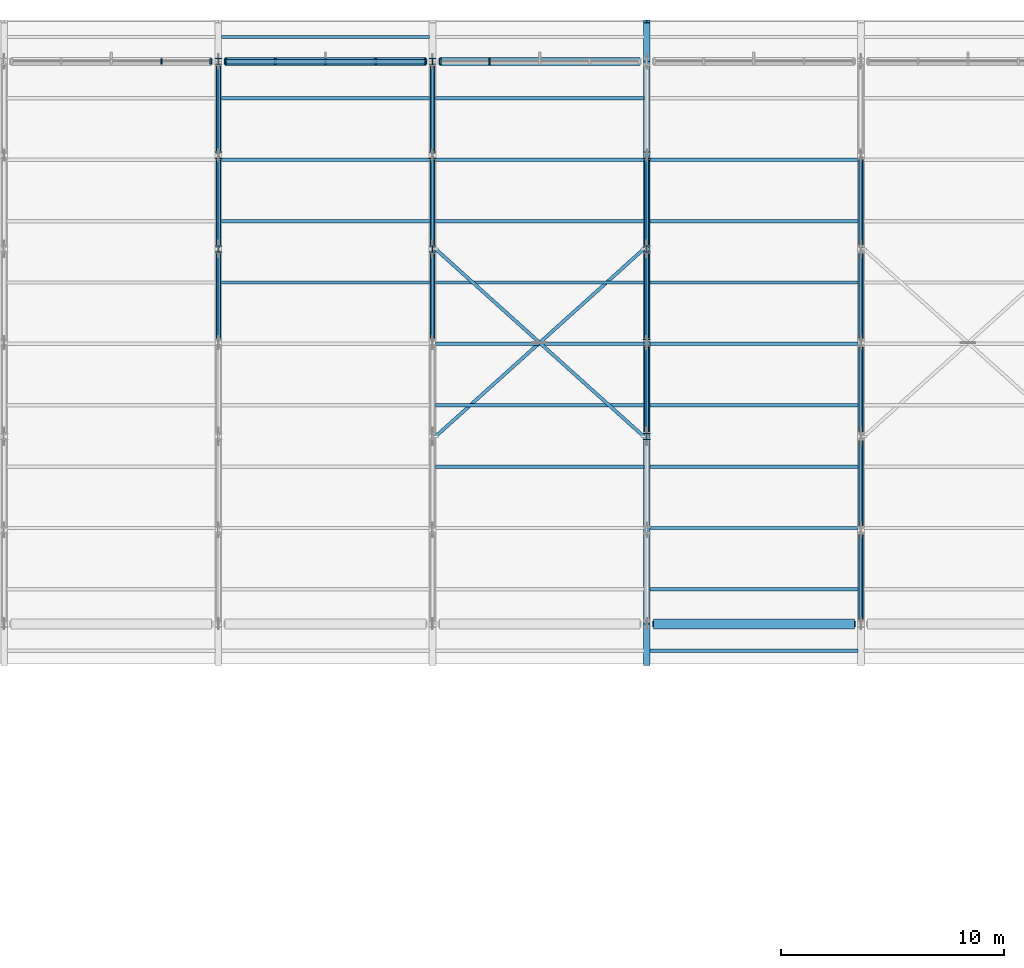
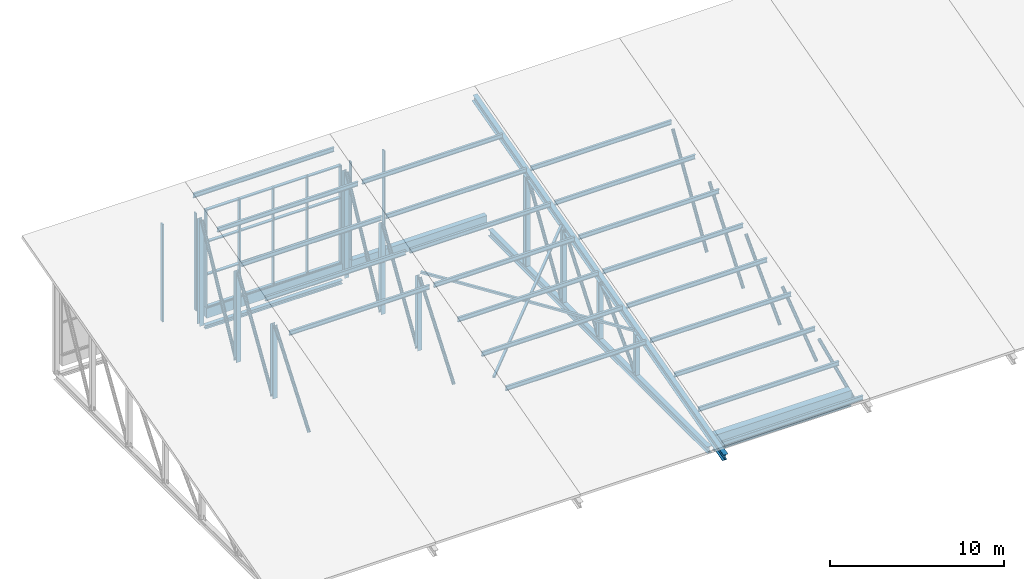
# One storey, part 5 of 37: 63 members, 5 beams, 3 elements without a shape of their own.
"""IFC4 building model written with IfcOpenShell, lengths in metres."""

from ifc_helpers import new_model, si_unit, direction, frame, origin, origin_2d, place, context, subcontext, project, spatial, rectangle, hollow_rectangle, hollow_circle, i_section, extrude, material, material_profile, profile_set, type_object, element, aggregate, save


model = new_model("IFC4")

# Units and contexts
model_context = context("Model", 3, precision=1e-05, world=origin(), true_north=direction((0.0, 1.0)))
body_context = subcontext(model_context, "Body", "Model", "MODEL_VIEW")
ifc_project = project(units=[si_unit("LENGTHUNIT", "METRE"), si_unit("AREAUNIT", "SQUARE_METRE"), si_unit("VOLUMEUNIT", "CUBIC_METRE"), si_unit("PLANEANGLEUNIT", "RADIAN"), si_unit("MASSUNIT", "GRAM", prefix="KILO")], contexts=[model_context])

# Site, building, storey
site_placement = place(None, origin())
site = spatial("IfcSite", under=ifc_project, at=site_placement, CompositionType="ELEMENT")
building_placement = place(site_placement, origin())
building = spatial("IfcBuilding", under=site, at=building_placement, Name="Shalvenor Court Art Gallery", CompositionType="ELEMENT")
storey_placement = place(building_placement, frame((0.0, 0.0, 22.199951171875)))
storey = spatial("IfcBuildingStorey", under=building, at=storey_placement, Name="L04", CompositionType="ELEMENT", Elevation=22.199951171875)

# Beam
ifc_material_1 = material(Name="Concrete C40/50", Category="concrete")
ifc_material_profile_1 = material_profile(ifc_material_1, rectangle(XDim=0.449951171875, YDim=0.75, at=origin_2d()), Name="RC 450x750")
ifc_profile_set_1 = profile_set([ifc_material_profile_1], Name="Concrete C40/50")
beam_type_1 = type_object("IfcBeamType", Name="B-04", PredefinedType="BEAM", material=ifc_profile_set_1)
beam_1_placement = place(storey_placement, frame((86.699951171875, 97.199951171875, -0.675048828125), z_axis=(1.0, 0.0, 0.0), x_axis=(0.0, 1.0, 0.0)))
element("IfcBeam", 1, at=beam_1_placement, inside=storey, type_object=beam_type_1, Name="L04 Girder BM-L04-B-04-1240", PredefinedType="BEAM", context=body_context, shape_type="SweptSolid", body=[
    extrude(rectangle(XDim=0.449951171875, YDim=0.75, at=origin_2d()), origin(), (0.0, 0.0, 1.0), 9.0),
])

# Curtain wall, members
ifc_material_2 = material(Name="Anodised aluminium and low-iron glass curtain wall", Category="aluminium")
curtain_wall_type = type_object("IfcCurtainWallType", Name="CW-NL-V2", PredefinedType="USERDEFINED", material=ifc_material_2)
curtain_wall_1_placement = place(storey_placement, origin())
curtain_wall_1 = element("IfcCurtainWall", 2, at=curtain_wall_1_placement, inside=storey, type_object=curtain_wall_type, Name="L04 V2 North Light Clerestory 1", ObjectType="CURTAIN WALL", PredefinedType="USERDEFINED")
ifc_material_3 = material(Name="Dark anodised bronze aluminium mullion", Category="aluminium")
ifc_material_profile_2 = material_profile(ifc_material_3, rectangle(XDim=0.080078125, YDim=0.239990234375, at=origin_2d()), Name="CWM-05")
ifc_profile_set_2 = profile_set([ifc_material_profile_2], Name="Dark anodised bronze aluminium mullion")
member_type_1 = type_object("IfcMemberType", Name="CWM-05", PredefinedType="MULLION", material=ifc_profile_set_2)
member_1_placement = place(storey_placement, frame((64.64990234375, 122.39990234375, 0.0), z_axis=(0.0, 0.0, 1.0), x_axis=(1.0, 0.0, 0.0)))
member_1 = element("IfcMember", 3, at=member_1_placement, type_object=member_type_1, Name="CW-NL-V2 mullion 4", PredefinedType="MULLION", context=body_context, shape_type="SweptSolid", body=[
    extrude(rectangle(XDim=0.080078125, YDim=0.239990234375, at=origin_2d()), origin(), (0.0, 0.0, 1.0), 6.85009765625),
])
member_2_placement = place(storey_placement, frame((66.860107421875, 122.39990234375, 0.0), z_axis=(0.0, 0.0, 1.0), x_axis=(1.0, 0.0, 0.0)))
member_2 = element("IfcMember", 4, at=member_2_placement, type_object=member_type_1, Name="CW-NL-V2 mullion 5", PredefinedType="MULLION", context=body_context, shape_type="SweptSolid", body=[
    extrude(rectangle(XDim=0.080078125, YDim=0.239990234375, at=origin_2d()), origin(), (0.0, 0.0, 1.0), 6.85009765625),
])
aggregate(curtain_wall_1, [member_1, member_2])

curtain_wall_2_placement = place(storey_placement, origin())
curtain_wall_2 = element("IfcCurtainWall", 5, at=curtain_wall_2_placement, inside=storey, type_object=curtain_wall_type, Name="L04 V2 North Light Clerestory 2", ObjectType="CURTAIN WALL", PredefinedType="USERDEFINED")
member_3_placement = place(storey_placement, frame((67.5400390625, 122.39990234375, 0.0), z_axis=(0.0, 0.0, 1.0), x_axis=(1.0, 0.0, 0.0)))
member_3 = element("IfcMember", 6, at=member_3_placement, type_object=member_type_1, Name="CW-NL-V2 mullion 1", PredefinedType="MULLION", context=body_context, shape_type="SweptSolid", body=[
    extrude(rectangle(XDim=0.080078125, YDim=0.239990234375, at=origin_2d()), origin(), (0.0, 0.0, 1.0), 6.85009765625),
])
member_4_placement = place(storey_placement, frame((69.75, 122.39990234375, 0.0), z_axis=(0.0, 0.0, 1.0), x_axis=(1.0, 0.0, 0.0)))
member_4 = element("IfcMember", 7, at=member_4_placement, type_object=member_type_1, Name="CW-NL-V2 mullion 2", PredefinedType="MULLION", context=body_context, shape_type="SweptSolid", body=[
    extrude(rectangle(XDim=0.080078125, YDim=0.239990234375, at=origin_2d()), origin(), (0.0, 0.0, 1.0), 6.85009765625),
])
member_5_placement = place(storey_placement, frame((72.0, 122.39990234375, 0.0), z_axis=(0.0, 0.0, 1.0), x_axis=(1.0, 0.0, 0.0)))
member_5 = element("IfcMember", 8, at=member_5_placement, type_object=member_type_1, Name="CW-NL-V2 mullion 3", PredefinedType="MULLION", context=body_context, shape_type="SweptSolid", body=[
    extrude(rectangle(XDim=0.080078125, YDim=0.239990234375, at=origin_2d()), origin(), (0.0, 0.0, 1.0), 6.85009765625),
])
member_6_placement = place(storey_placement, frame((74.25, 122.39990234375, 0.0), z_axis=(0.0, 0.0, 1.0), x_axis=(1.0, 0.0, 0.0)))
member_6 = element("IfcMember", 9, at=member_6_placement, type_object=member_type_1, Name="CW-NL-V2 mullion 4", PredefinedType="MULLION", context=body_context, shape_type="SweptSolid", body=[
    extrude(rectangle(XDim=0.080078125, YDim=0.239990234375, at=origin_2d()), origin(), (0.0, 0.0, 1.0), 6.85009765625),
])
member_7_placement = place(storey_placement, frame((76.4599609375, 122.39990234375, 0.0), z_axis=(0.0, 0.0, 1.0), x_axis=(1.0, 0.0, 0.0)))
member_7 = element("IfcMember", 10, at=member_7_placement, type_object=member_type_1, Name="CW-NL-V2 mullion 5", PredefinedType="MULLION", context=body_context, shape_type="SweptSolid", body=[
    extrude(rectangle(XDim=0.080078125, YDim=0.239990234375, at=origin_2d()), origin(), (0.0, 0.0, 1.0), 6.85009765625),
])

curtain_wall_3_placement = place(storey_placement, origin())
curtain_wall_3 = element("IfcCurtainWall", 11, at=curtain_wall_3_placement, inside=storey, type_object=curtain_wall_type, Name="L04 V2 North Light Clerestory 3", ObjectType="CURTAIN WALL", PredefinedType="USERDEFINED")
member_8_placement = place(storey_placement, frame((77.139892578125, 122.39990234375, 0.0), z_axis=(0.0, 0.0, 1.0), x_axis=(1.0, 0.0, 0.0)))
member_8 = element("IfcMember", 12, at=member_8_placement, type_object=member_type_1, Name="CW-NL-V2 mullion 1", PredefinedType="MULLION", context=body_context, shape_type="SweptSolid", body=[
    extrude(rectangle(XDim=0.080078125, YDim=0.239990234375, at=origin_2d()), origin(), (0.0, 0.0, 1.0), 6.85009765625),
])
member_9_placement = place(storey_placement, frame((79.35009765625, 122.39990234375, 0.0), z_axis=(0.0, 0.0, 1.0), x_axis=(1.0, 0.0, 0.0)))
member_9 = element("IfcMember", 13, at=member_9_placement, type_object=member_type_1, Name="CW-NL-V2 mullion 2", PredefinedType="MULLION", context=body_context, shape_type="SweptSolid", body=[
    extrude(rectangle(XDim=0.080078125, YDim=0.239990234375, at=origin_2d()), origin(), (0.0, 0.0, 1.0), 6.85009765625),
])
aggregate(curtain_wall_3, [member_8, member_9])

# Member
ifc_material_4 = material(Name="Dark anodised bronze aluminium transom", Category="aluminium")
ifc_material_profile_3 = material_profile(ifc_material_4, rectangle(XDim=0.2099609375, YDim=0.074951171875, at=origin_2d()), Name="CWT-05")
ifc_profile_set_3 = profile_set([ifc_material_profile_3], Name="Dark anodised bronze aluminium transom")
member_type_2 = type_object("IfcMemberType", Name="CWT-05", PredefinedType="USERDEFINED", material=ifc_profile_set_3)
member_10_placement = place(storey_placement, frame((67.5400390625, 122.39990234375, 0.03759765625), z_axis=(1.0, 0.0, 0.0), x_axis=(0.0, 1.0, 0.0)))
member_10 = element("IfcMember", 14, at=member_10_placement, type_object=member_type_2, Name="CW-NL-V2 transom 1", ObjectType="TRANSOM", PredefinedType="USERDEFINED", context=body_context, shape_type="SweptSolid", body=[
    extrude(rectangle(XDim=0.2099609375, YDim=0.074951171875, at=origin_2d()), origin(), (0.0, 0.0, 1.0), 8.919921875),
])

member_11_placement = place(storey_placement, frame((67.5400390625, 122.39990234375, 2.283447265625), z_axis=(1.0, 0.0, 0.0), x_axis=(0.0, 1.0, 0.0)))
member_11 = element("IfcMember", 15, at=member_11_placement, type_object=member_type_2, Name="CW-NL-V2 transom 2", ObjectType="TRANSOM", PredefinedType="USERDEFINED", context=body_context, shape_type="SweptSolid", body=[
    extrude(rectangle(XDim=0.2099609375, YDim=0.074951171875, at=origin_2d()), origin(), (0.0, 0.0, 1.0), 8.919921875),
])

member_12_placement = place(storey_placement, frame((67.5400390625, 122.39990234375, 4.566650390625), z_axis=(1.0, 0.0, 0.0), x_axis=(0.0, 1.0, 0.0)))
member_12 = element("IfcMember", 16, at=member_12_placement, type_object=member_type_2, Name="CW-NL-V2 transom 3", ObjectType="TRANSOM", PredefinedType="USERDEFINED", context=body_context, shape_type="SweptSolid", body=[
    extrude(rectangle(XDim=0.2099609375, YDim=0.074951171875, at=origin_2d()), origin(), (0.0, 0.0, 1.0), 8.919921875),
])

member_13_placement = place(storey_placement, frame((67.5400390625, 122.39990234375, 6.8125), z_axis=(1.0, 0.0, 0.0), x_axis=(0.0, 1.0, 0.0)))
member_13 = element("IfcMember", 17, at=member_13_placement, type_object=member_type_2, Name="CW-NL-V2 transom 4", ObjectType="TRANSOM", PredefinedType="USERDEFINED", context=body_context, shape_type="SweptSolid", body=[
    extrude(rectangle(XDim=0.2099609375, YDim=0.074951171875, at=origin_2d()), origin(), (0.0, 0.0, 1.0), 8.919921875),
])

aggregate(curtain_wall_2, [member_3, member_4, member_5, member_6, member_7, member_10, member_11, member_12, member_13])

# Members
ifc_material_5 = material(Name="Steel S355", Category="steel")
ifc_material_profile_4 = material_profile(ifc_material_5, i_section(OverallWidth=0.14990234375, OverallDepth=0.300048828125, WebThickness=0.007080078125, FlangeThickness=0.0107421875, at=origin_2d()), Name="IPE 300")
ifc_profile_set_4 = profile_set([ifc_material_profile_4], Name="Steel S355")
member_type_3 = type_object("IfcMemberType", Name="PR-01", PredefinedType="PURLIN", material=ifc_profile_set_4)
for number, where, z_axis, x_axis, name in (
    (18, (67.3349609375, 112.5, 4.224853515625), (1.0, 0.0, 0.0), (0.0, 1.0, 0.0), "L04 V2 Roof Purlin 2.7"),
    (19, (67.3349609375, 115.25, 4.9697265625), (1.0, 0.0, 0.0), (0.0, 1.0, 0.0), "L04 V2 Roof Purlin 2.8"),
    (20, (67.3349609375, 118.0, 5.714599609375), (1.0, 0.0, 0.0), (0.0, 1.0, 0.0), "L04 V2 Roof Purlin 2.9"),
    (21, (67.3349609375, 120.75, 6.459228515625), (1.0, 0.0, 0.0), (0.0, 1.0, 0.0), "L04 V2 Roof Purlin 2.10"),
):
    element("IfcMember", number, at=place(storey_placement, frame(where, z_axis=z_axis, x_axis=x_axis)), inside=storey, type_object=member_type_3, Name=name, PredefinedType="PURLIN", context=body_context, shape_type="SweptSolid", body=[
        extrude(i_section(OverallWidth=0.14990234375, OverallDepth=0.300048828125, WebThickness=0.007080078125, FlangeThickness=0.0107421875, at=origin_2d()), origin(), (0.0, 0.0, 1.0), 9.330078125),
    ])
for number, where, z_axis, x_axis, name in (
    (22, (76.93505859375, 104.25, 1.99072265625), (1.0, 0.0, 0.0), (0.0, 1.0, 0.0), "L04 V2 Roof Purlin 3.4"),
    (23, (76.93505859375, 107.0, 2.7353515625), (1.0, 0.0, 0.0), (0.0, 1.0, 0.0), "L04 V2 Roof Purlin 3.5"),
    (24, (76.93505859375, 109.75, 3.480224609375), (1.0, 0.0, 0.0), (0.0, 1.0, 0.0), "L04 V2 Roof Purlin 3.6"),
    (25, (76.93505859375, 112.5, 4.224853515625), (1.0, 0.0, 0.0), (0.0, 1.0, 0.0), "L04 V2 Roof Purlin 3.7"),
    (26, (76.93505859375, 115.25, 4.9697265625), (1.0, 0.0, 0.0), (0.0, 1.0, 0.0), "L04 V2 Roof Purlin 3.8"),
    (27, (76.93505859375, 118.0, 5.714599609375), (1.0, 0.0, 0.0), (0.0, 1.0, 0.0), "L04 V2 Roof Purlin 3.9"),
    (28, (76.93505859375, 120.75, 6.459228515625), (1.0, 0.0, 0.0), (0.0, 1.0, 0.0), "L04 V2 Roof Purlin 3.10"),
):
    element("IfcMember", number, at=place(storey_placement, frame(where, z_axis=z_axis, x_axis=x_axis)), inside=storey, type_object=member_type_3, Name=name, PredefinedType="PURLIN", context=body_context, shape_type="SweptSolid", body=[
        extrude(i_section(OverallWidth=0.14990234375, OverallDepth=0.300048828125, WebThickness=0.007080078125, FlangeThickness=0.0107421875, at=origin_2d()), origin(), (0.0, 0.0, 1.0), 9.329833984375),
    ])
for number, where, z_axis, x_axis, name in (
    (29, (86.534912109375, 98.75, 0.5009765625), (1.0, 0.0, 0.0), (0.0, 1.0, 0.0), "L04 V2 Roof Purlin 4.2"),
    (30, (86.534912109375, 101.5, 1.245849609375), (1.0, 0.0, 0.0), (0.0, 1.0, 0.0), "L04 V2 Roof Purlin 4.3"),
    (31, (86.534912109375, 104.25, 1.99072265625), (1.0, 0.0, 0.0), (0.0, 1.0, 0.0), "L04 V2 Roof Purlin 4.4"),
    (32, (86.534912109375, 107.0, 2.7353515625), (1.0, 0.0, 0.0), (0.0, 1.0, 0.0), "L04 V2 Roof Purlin 4.5"),
    (33, (86.534912109375, 109.75, 3.480224609375), (1.0, 0.0, 0.0), (0.0, 1.0, 0.0), "L04 V2 Roof Purlin 4.6"),
    (34, (86.534912109375, 112.5, 4.224853515625), (1.0, 0.0, 0.0), (0.0, 1.0, 0.0), "L04 V2 Roof Purlin 4.7"),
    (35, (86.534912109375, 115.25, 4.9697265625), (1.0, 0.0, 0.0), (0.0, 1.0, 0.0), "L04 V2 Roof Purlin 4.8"),
    (36, (86.534912109375, 118.0, 5.714599609375), (1.0, 0.0, 0.0), (0.0, 1.0, 0.0), "L04 V2 Roof Purlin 4.9"),
):
    element("IfcMember", number, at=place(storey_placement, frame(where, z_axis=z_axis, x_axis=x_axis)), inside=storey, type_object=member_type_3, Name=name, PredefinedType="PURLIN", context=body_context, shape_type="SweptSolid", body=[
        extrude(i_section(OverallWidth=0.14990234375, OverallDepth=0.300048828125, WebThickness=0.007080078125, FlangeThickness=0.0107421875, at=origin_2d()), origin(), (0.0, 0.0, 1.0), 9.330078125),
    ])
ifc_material_6 = material(Name="Steel S355", Category="steel")
ifc_material_profile_5 = material_profile(ifc_material_6, i_section(OverallWidth=0.14990234375, OverallDepth=0.300048828125, WebThickness=0.007080078125, FlangeThickness=0.0107421875, at=origin_2d()), Name="IPE 300")
ifc_profile_set_5 = profile_set([ifc_material_profile_5], Name="Steel S355")
member_type_4 = type_object("IfcMemberType", Name="PR-03", PredefinedType="PURLIN", material=ifc_profile_set_5)
for number, where, z_axis, x_axis, name in (
    (37, (67.3349609375, 123.5, 7.2041015625), (1.0, 0.0, 0.0), (0.0, 1.0, 0.0), "L04 V2 Roof Purlin 2.11"),
    (38, (86.534912109375, 96.0, -0.24365234375), (1.0, 0.0, 0.0), (0.0, 1.0, 0.0), "L04 V2 Roof Purlin 4.1"),
):
    element("IfcMember", number, at=place(storey_placement, frame(where, z_axis=z_axis, x_axis=x_axis)), inside=storey, type_object=member_type_4, Name=name, PredefinedType="PURLIN", context=body_context, shape_type="SweptSolid", body=[
        extrude(i_section(OverallWidth=0.14990234375, OverallDepth=0.300048828125, WebThickness=0.007080078125, FlangeThickness=0.0107421875, at=origin_2d()), origin(), (0.0, 0.0, 1.0), 9.330078125),
    ])

# Beams
ifc_material_7 = material(Name="Concrete C40/50", Category="concrete")
ifc_material_profile_6 = material_profile(ifc_material_7, rectangle(XDim=0.35009765625, YDim=0.699951171875, at=origin_2d()), Name="RC 350x700")
ifc_profile_set_6 = profile_set([ifc_material_profile_6], Name="Concrete C40/50")
beam_type_2 = type_object("IfcBeamType", Name="SP-01", PredefinedType="SPANDREL", material=ifc_profile_set_6)
for number, where, z_axis, x_axis, name in (
    (39, (67.5, 122.39990234375, -0.349853515625), (1.0, 0.0, 0.0), (0.0, 1.0, 0.0), "L04 Spandrel Girder BM-L04-SP-01-1249"),
    (40, (77.10009765625, 122.39990234375, -0.349853515625), (1.0, 0.0, 0.0), (0.0, 1.0, 0.0), "L04 Spandrel Girder BM-L04-SP-01-1250"),
):
    element("IfcBeam", number, at=place(storey_placement, frame(where, z_axis=z_axis, x_axis=x_axis)), inside=storey, type_object=beam_type_2, Name=name, PredefinedType="SPANDREL", context=body_context, shape_type="SweptSolid", body=[
        extrude(rectangle(XDim=0.35009765625, YDim=0.699951171875, at=origin_2d()), origin(), (0.0, 0.0, 1.0), 9.0),
    ])
ifc_material_8 = material(Name="Steel S355", Category="steel")
ifc_material_profile_7 = material_profile(ifc_material_8, i_section(OverallWidth=0.300048828125, OverallDepth=0.489990234375, WebThickness=0.011962890625, FlangeThickness=0.02294921875, at=origin_2d()), Name="HEA 500")
ifc_profile_set_7 = profile_set([ifc_material_profile_7], Name="Steel S355")
beam_type_3 = type_object("IfcBeamType", Name="TC-01", PredefinedType="USERDEFINED", material=ifc_profile_set_7)
beam_2_placement = place(storey_placement, frame((86.39990234375, 95.39990234375, -0.793212890625), z_axis=(0.0, 0.965226070832, 0.261416587437), x_axis=(-1.0, 0.0, 0.0)))
element("IfcBeam", 41, at=beam_2_placement, inside=storey, type_object=beam_type_3, Name="TR-V2-04 Roof Truss Continuous Top Chord", ObjectType="ROOF TRUSS", PredefinedType="USERDEFINED", context=body_context, shape_type="SweptSolid", body=[
    extrude(i_section(OverallWidth=0.300048828125, OverallDepth=0.489990234375, WebThickness=0.011962890625, FlangeThickness=0.02294921875, at=origin_2d()), origin(), (0.0, 0.0, 1.0), 29.837646484375),
])
ifc_material_9 = material(Name="Steel S355", Category="steel")
ifc_material_profile_8 = material_profile(ifc_material_9, i_section(OverallWidth=0.300048828125, OverallDepth=0.449951171875, WebThickness=0.013916015625, FlangeThickness=0.02587890625, at=origin_2d()), Name="HEB 450")
ifc_profile_set_8 = profile_set([ifc_material_profile_8], Name="Steel S355")
beam_type_4 = type_object("IfcBeamType", Name="TC-03", PredefinedType="USERDEFINED", material=ifc_profile_set_8)
beam_3_placement = place(storey_placement, frame((86.39990234375, 97.199951171875, -1.349853515625), z_axis=(0.0, 1.0, 0.0), x_axis=(-1.0, 0.0, 0.0)))
element("IfcBeam", 42, at=beam_3_placement, inside=storey, type_object=beam_type_4, Name="TR-V2-04 Roof Truss Continuous Bottom Chord", ObjectType="ROOF TRUSS", PredefinedType="USERDEFINED", context=body_context, shape_type="SweptSolid", body=[
    extrude(i_section(OverallWidth=0.300048828125, OverallDepth=0.449951171875, WebThickness=0.013916015625, FlangeThickness=0.02587890625, at=origin_2d()), origin(), (0.0, 0.0, 1.0), 25.199951171875),
])

# Members
ifc_material_10 = material(Name="Steel S355", Category="steel")
ifc_material_profile_9 = material_profile(ifc_material_10, hollow_rectangle(XDim=0.14990234375, YDim=0.14990234375, WallThickness=0.008056640625, at=origin_2d()), Name="SHS 150x150x8.0")
ifc_profile_set_9 = profile_set([ifc_material_profile_9], Name="Steel S355")
member_type_5 = type_object("IfcMemberType", Name="TM-B1", PredefinedType="BRACE", material=ifc_profile_set_9)
member_14_placement = place(storey_placement, frame((76.93505859375, 105.60009765625, 1.96923828125), z_axis=(0.731264130711, 0.658376911716, 0.178304832395), x_axis=(-0.669099024301, 0.743173260875, 0.0)))
element("IfcMember", 43, at=member_14_placement, inside=storey, type_object=member_type_5, Name="L04 V2 Roof Plan Brace 3.1", PredefinedType="BRACE", context=body_context, shape_type="SweptSolid", body=[
    extrude(hollow_rectangle(XDim=0.14990234375, YDim=0.14990234375, WallThickness=0.008056640625, at=origin_2d()), origin(), (0.0, 0.0, 1.0), 12.758544921875),
])
for number, where, z_axis, x_axis, name in (
    (44, (86.264892578125, 105.60009765625, 1.96923828125), (-0.731274551437, 0.65836976494, 0.178288482616), (-0.669089746621, -0.743181613717, 0.0), "L04 V2 Roof Plan Brace 3.2A"),
    (45, (81.58544921875, 109.813232421875, 3.1103515625), (-0.731274551437, 0.65836976494, 0.178288482616), (-0.669089746621, -0.743181613717, 0.0), "L04 V2 Roof Plan Brace 3.2B"),
):
    element("IfcMember", number, at=place(storey_placement, frame(where, z_axis=z_axis, x_axis=x_axis)), inside=storey, type_object=member_type_5, Name=name, PredefinedType="BRACE", context=body_context, shape_type="SweptSolid", body=[
        extrude(hollow_rectangle(XDim=0.14990234375, YDim=0.14990234375, WallThickness=0.008056640625, at=origin_2d()), origin(), (0.0, 0.0, 1.0), 6.359375),
    ])
ifc_material_11 = material(Name="Steel S355", Category="steel")
ifc_material_profile_10 = material_profile(ifc_material_11, i_section(OverallWidth=0.260009765625, OverallDepth=0.260009765625, WebThickness=0.010009765625, FlangeThickness=0.017578125, at=origin_2d()), Name="HEB 260")
ifc_profile_set_10 = profile_set([ifc_material_profile_10], Name="Steel S355")
member_type_6 = type_object("IfcMemberType", Name="TM-C1", PredefinedType="CHORD", material=ifc_profile_set_10)
for number, where, z_axis, x_axis, name in (
    (46, (67.449951171875, 122.39990234375, -1.349853515625), (1.0, 0.0, 0.0), (0.0, 1.0, 0.0), "L04 V2 Eave Truss Chord Tie 2.2"),
    (47, (86.64990234375, 97.199951171875, -1.349853515625), (1.0, 0.0, 0.0), (0.0, 1.0, 0.0), "L04 V2 Eave Truss Chord Tie 4.1"),
):
    element("IfcMember", number, at=place(storey_placement, frame(where, z_axis=z_axis, x_axis=x_axis)), inside=storey, type_object=member_type_6, Name=name, PredefinedType="CHORD", context=body_context, shape_type="SweptSolid", body=[
        extrude(i_section(OverallWidth=0.260009765625, OverallDepth=0.260009765625, WebThickness=0.010009765625, FlangeThickness=0.017578125, at=origin_2d()), origin(), (0.0, 0.0, 1.0), 9.10009765625),
    ])
ifc_material_12 = material(Name="Steel S355", Category="steel")
ifc_material_profile_11 = material_profile(ifc_material_12, hollow_circle(Radius=0.109619140625, WallThickness=0.010009765625, at=origin_2d()), Name="CHS 219.1x10.0")
ifc_profile_set_11 = profile_set([ifc_material_profile_11], Name="Steel S355")
member_type_7 = type_object("IfcMemberType", Name="TM-D1", PredefinedType="BRACE", material=ifc_profile_set_11)
member_15_placement = place(storey_placement, frame((67.199951171875, 109.93994140625, -1.135009765625), z_axis=(0.0, 0.606112588318, 0.79537885959), x_axis=(-1.0, 0.0, 0.0)))
element("IfcMember", 48, at=member_15_placement, inside=storey, type_object=member_type_7, Name="TR-V2-02 Roof Truss Diagonal 4", PredefinedType="BRACE", context=body_context, shape_type="SweptSolid", body=[
    extrude(hollow_circle(Radius=0.109619140625, WallThickness=0.010009765625, at=origin_2d()), origin(), (0.0, 0.0, 1.0), 6.4677734375),
])
member_16_placement = place(storey_placement, frame((67.199951171875, 114.139892578125, -1.135009765625), z_axis=(0.0, 0.529423853973, 0.848357461713), x_axis=(-1.0, 0.0, 0.0)))
element("IfcMember", 49, at=member_16_placement, inside=storey, type_object=member_type_7, Name="TR-V2-02 Roof Truss Diagonal 5", PredefinedType="BRACE", context=body_context, shape_type="SweptSolid", body=[
    extrude(hollow_circle(Radius=0.109619140625, WallThickness=0.010009765625, at=origin_2d()), origin(), (0.0, 0.0, 1.0), 7.404541015625),
])
member_17_placement = place(storey_placement, frame((67.199951171875, 118.340087890625, -1.135009765625), z_axis=(0.0, 0.467153650575, 0.884176151428), x_axis=(-1.0, 0.0, 0.0)))
element("IfcMember", 50, at=member_17_placement, inside=storey, type_object=member_type_7, Name="TR-V2-02 Roof Truss Diagonal 6", PredefinedType="BRACE", context=body_context, shape_type="SweptSolid", body=[
    extrude(hollow_circle(Radius=0.109619140625, WallThickness=0.010009765625, at=origin_2d()), origin(), (0.0, 0.0, 1.0), 8.39111328125),
])
member_18_placement = place(storey_placement, frame((76.800048828125, 109.93994140625, -1.135009765625), z_axis=(0.0, 0.606112588318, 0.79537885959), x_axis=(-1.0, 0.0, 0.0)))
element("IfcMember", 51, at=member_18_placement, inside=storey, type_object=member_type_7, Name="TR-V2-03 Roof Truss Diagonal 4", PredefinedType="BRACE", context=body_context, shape_type="SweptSolid", body=[
    extrude(hollow_circle(Radius=0.109619140625, WallThickness=0.010009765625, at=origin_2d()), origin(), (0.0, 0.0, 1.0), 6.4677734375),
])
member_19_placement = place(storey_placement, frame((76.800048828125, 114.139892578125, -1.135009765625), z_axis=(0.0, 0.529423853973, 0.848357461713), x_axis=(-1.0, 0.0, 0.0)))
element("IfcMember", 52, at=member_19_placement, inside=storey, type_object=member_type_7, Name="TR-V2-03 Roof Truss Diagonal 5", PredefinedType="BRACE", context=body_context, shape_type="SweptSolid", body=[
    extrude(hollow_circle(Radius=0.109619140625, WallThickness=0.010009765625, at=origin_2d()), origin(), (0.0, 0.0, 1.0), 7.404541015625),
])
member_20_placement = place(storey_placement, frame((76.800048828125, 118.340087890625, -1.135009765625), z_axis=(0.0, 0.467153650575, 0.884176151428), x_axis=(-1.0, 0.0, 0.0)))
element("IfcMember", 53, at=member_20_placement, inside=storey, type_object=member_type_7, Name="TR-V2-03 Roof Truss Diagonal 6", PredefinedType="BRACE", context=body_context, shape_type="SweptSolid", body=[
    extrude(hollow_circle(Radius=0.109619140625, WallThickness=0.010009765625, at=origin_2d()), origin(), (0.0, 0.0, 1.0), 8.39111328125),
])
member_21_placement = place(storey_placement, frame((86.39990234375, 105.739990234375, -1.135009765625), z_axis=(0.0, 0.699311572862, 0.714816986411), x_axis=(-1.0, 0.0, 0.0)))
element("IfcMember", 54, at=member_21_placement, inside=storey, type_object=member_type_7, Name="TR-V2-04 Roof Truss Diagonal 3", PredefinedType="BRACE", context=body_context, shape_type="SweptSolid", body=[
    extrude(hollow_circle(Radius=0.109619140625, WallThickness=0.010009765625, at=origin_2d()), origin(), (0.0, 0.0, 1.0), 5.60546875),
])
member_22_placement = place(storey_placement, frame((86.39990234375, 109.93994140625, -1.135009765625), z_axis=(0.0, 0.606112588318, 0.79537885959), x_axis=(-1.0, 0.0, 0.0)))
element("IfcMember", 55, at=member_22_placement, inside=storey, type_object=member_type_7, Name="TR-V2-04 Roof Truss Diagonal 4", PredefinedType="BRACE", context=body_context, shape_type="SweptSolid", body=[
    extrude(hollow_circle(Radius=0.109619140625, WallThickness=0.010009765625, at=origin_2d()), origin(), (0.0, 0.0, 1.0), 6.4677734375),
])
member_23_placement = place(storey_placement, frame((86.39990234375, 114.139892578125, -1.135009765625), z_axis=(0.0, 0.529423853973, 0.848357461713), x_axis=(-1.0, 0.0, 0.0)))
element("IfcMember", 56, at=member_23_placement, inside=storey, type_object=member_type_7, Name="TR-V2-04 Roof Truss Diagonal 5", PredefinedType="BRACE", context=body_context, shape_type="SweptSolid", body=[
    extrude(hollow_circle(Radius=0.109619140625, WallThickness=0.010009765625, at=origin_2d()), origin(), (0.0, 0.0, 1.0), 7.404541015625),
])
member_24_placement = place(storey_placement, frame((96.0, 97.340087890625, -1.135009765625), z_axis=(0.0, 0.914718437716, 0.404091796134), x_axis=(-1.0, 0.0, 0.0)))
element("IfcMember", 57, at=member_24_placement, inside=storey, type_object=member_type_7, Name="TR-V2-05 Roof Truss Diagonal 1", PredefinedType="BRACE", context=body_context, shape_type="SweptSolid", body=[
    extrude(hollow_circle(Radius=0.109619140625, WallThickness=0.010009765625, at=origin_2d()), origin(), (0.0, 0.0, 1.0), 4.285400390625),
])
member_25_placement = place(storey_placement, frame((96.0, 101.5400390625, -1.135009765625), z_axis=(0.0, 0.80694152296, 0.590631338928), x_axis=(-1.0, 0.0, 0.0)))
element("IfcMember", 58, at=member_25_placement, inside=storey, type_object=member_type_7, Name="TR-V2-05 Roof Truss Diagonal 2", PredefinedType="BRACE", context=body_context, shape_type="SweptSolid", body=[
    extrude(hollow_circle(Radius=0.109619140625, WallThickness=0.010009765625, at=origin_2d()), origin(), (0.0, 0.0, 1.0), 4.857666015625),
])
member_26_placement = place(storey_placement, frame((96.0, 105.739990234375, -1.135009765625), z_axis=(0.0, 0.699311572862, 0.714816986411), x_axis=(-1.0, 0.0, 0.0)))
element("IfcMember", 59, at=member_26_placement, inside=storey, type_object=member_type_7, Name="TR-V2-05 Roof Truss Diagonal 3", PredefinedType="BRACE", context=body_context, shape_type="SweptSolid", body=[
    extrude(hollow_circle(Radius=0.109619140625, WallThickness=0.010009765625, at=origin_2d()), origin(), (0.0, 0.0, 1.0), 5.60546875),
])
member_27_placement = place(storey_placement, frame((96.0, 109.93994140625, -1.135009765625), z_axis=(0.0, 0.606112588318, 0.79537885959), x_axis=(-1.0, 0.0, 0.0)))
element("IfcMember", 60, at=member_27_placement, inside=storey, type_object=member_type_7, Name="TR-V2-05 Roof Truss Diagonal 4", PredefinedType="BRACE", context=body_context, shape_type="SweptSolid", body=[
    extrude(hollow_circle(Radius=0.109619140625, WallThickness=0.010009765625, at=origin_2d()), origin(), (0.0, 0.0, 1.0), 6.4677734375),
])
member_28_placement = place(storey_placement, frame((96.0, 114.139892578125, -1.135009765625), z_axis=(0.0, 0.529423853973, 0.848357461713), x_axis=(-1.0, 0.0, 0.0)))
element("IfcMember", 61, at=member_28_placement, inside=storey, type_object=member_type_7, Name="TR-V2-05 Roof Truss Diagonal 5", PredefinedType="BRACE", context=body_context, shape_type="SweptSolid", body=[
    extrude(hollow_circle(Radius=0.109619140625, WallThickness=0.010009765625, at=origin_2d()), origin(), (0.0, 0.0, 1.0), 7.404541015625),
])
ifc_material_13 = material(Name="Steel S355", Category="steel")
ifc_material_profile_12 = material_profile(ifc_material_13, i_section(OverallWidth=0.300048828125, OverallDepth=0.300048828125, WebThickness=0.010986328125, FlangeThickness=0.01904296875, at=origin_2d()), Name="HEB 300")
ifc_profile_set_12 = profile_set([ifc_material_profile_12], Name="Steel S355")
member_type_8 = type_object("IfcMemberType", Name="TM-V2", PredefinedType="STRUT", material=ifc_profile_set_12)
member_29_placement = place(storey_placement, frame((67.199951171875, 114.0, -1.1298828125), z_axis=(0.0, 0.0, 1.0), x_axis=(1.0, 0.0, 0.0)))
element("IfcMember", 62, at=member_29_placement, inside=storey, type_object=member_type_8, Name="TR-V2-02 Roof Truss Vertical 5", PredefinedType="STRUT", context=body_context, shape_type="SweptSolid", body=[
    extrude(i_section(OverallWidth=0.300048828125, OverallDepth=0.300048828125, WebThickness=0.010986328125, FlangeThickness=0.01904296875, at=origin_2d()), origin(), (0.0, 0.0, 1.0), 5.134033203125),
])
member_30_placement = place(storey_placement, frame((67.199951171875, 118.199951171875, -1.1298828125), z_axis=(0.0, 0.0, 1.0), x_axis=(1.0, 0.0, 0.0)))
element("IfcMember", 63, at=member_30_placement, inside=storey, type_object=member_type_8, Name="TR-V2-02 Roof Truss Vertical 6", PredefinedType="STRUT", context=body_context, shape_type="SweptSolid", body=[
    extrude(i_section(OverallWidth=0.300048828125, OverallDepth=0.300048828125, WebThickness=0.010986328125, FlangeThickness=0.01904296875, at=origin_2d()), origin(), (0.0, 0.0, 1.0), 6.271728515625),
])
member_31_placement = place(storey_placement, frame((67.199951171875, 122.39990234375, -1.1298828125), z_axis=(0.0, 0.0, 1.0), x_axis=(1.0, 0.0, 0.0)))
element("IfcMember", 64, at=member_31_placement, inside=storey, type_object=member_type_8, Name="TR-V2-02 Roof Truss Vertical 7", PredefinedType="STRUT", context=body_context, shape_type="SweptSolid", body=[
    extrude(i_section(OverallWidth=0.300048828125, OverallDepth=0.300048828125, WebThickness=0.010986328125, FlangeThickness=0.01904296875, at=origin_2d()), origin(), (0.0, 0.0, 1.0), 7.4091796875),
])
member_32_placement = place(storey_placement, frame((76.800048828125, 114.0, -1.1298828125), z_axis=(0.0, 0.0, 1.0), x_axis=(1.0, 0.0, 0.0)))
element("IfcMember", 65, at=member_32_placement, inside=storey, type_object=member_type_8, Name="TR-V2-03 Roof Truss Vertical 5", PredefinedType="STRUT", context=body_context, shape_type="SweptSolid", body=[
    extrude(i_section(OverallWidth=0.300048828125, OverallDepth=0.300048828125, WebThickness=0.010986328125, FlangeThickness=0.01904296875, at=origin_2d()), origin(), (0.0, 0.0, 1.0), 5.134033203125),
])
member_33_placement = place(storey_placement, frame((76.800048828125, 118.199951171875, -1.1298828125), z_axis=(0.0, 0.0, 1.0), x_axis=(1.0, 0.0, 0.0)))
element("IfcMember", 66, at=member_33_placement, inside=storey, type_object=member_type_8, Name="TR-V2-03 Roof Truss Vertical 6", PredefinedType="STRUT", context=body_context, shape_type="SweptSolid", body=[
    extrude(i_section(OverallWidth=0.300048828125, OverallDepth=0.300048828125, WebThickness=0.010986328125, FlangeThickness=0.01904296875, at=origin_2d()), origin(), (0.0, 0.0, 1.0), 6.271728515625),
])
member_34_placement = place(storey_placement, frame((76.800048828125, 122.39990234375, -1.1298828125), z_axis=(0.0, 0.0, 1.0), x_axis=(1.0, 0.0, 0.0)))
element("IfcMember", 67, at=member_34_placement, inside=storey, type_object=member_type_8, Name="TR-V2-03 Roof Truss Vertical 7", PredefinedType="STRUT", context=body_context, shape_type="SweptSolid", body=[
    extrude(i_section(OverallWidth=0.300048828125, OverallDepth=0.300048828125, WebThickness=0.010986328125, FlangeThickness=0.01904296875, at=origin_2d()), origin(), (0.0, 0.0, 1.0), 7.4091796875),
])
member_35_placement = place(storey_placement, frame((86.39990234375, 105.60009765625, -1.1298828125), z_axis=(0.0, 0.0, 1.0), x_axis=(1.0, 0.0, 0.0)))
element("IfcMember", 68, at=member_35_placement, inside=storey, type_object=member_type_8, Name="TR-V2-04 Roof Truss Vertical 3", PredefinedType="STRUT", context=body_context, shape_type="SweptSolid", body=[
    extrude(i_section(OverallWidth=0.300048828125, OverallDepth=0.300048828125, WebThickness=0.010986328125, FlangeThickness=0.01904296875, at=origin_2d()), origin(), (0.0, 0.0, 1.0), 2.859130859375),
])
member_36_placement = place(storey_placement, frame((86.39990234375, 109.800048828125, -1.1298828125), z_axis=(0.0, 0.0, 1.0), x_axis=(1.0, 0.0, 0.0)))
element("IfcMember", 69, at=member_36_placement, inside=storey, type_object=member_type_8, Name="TR-V2-04 Roof Truss Vertical 4", PredefinedType="STRUT", context=body_context, shape_type="SweptSolid", body=[
    extrude(i_section(OverallWidth=0.300048828125, OverallDepth=0.300048828125, WebThickness=0.010986328125, FlangeThickness=0.01904296875, at=origin_2d()), origin(), (0.0, 0.0, 1.0), 3.99658203125),
])
member_37_placement = place(storey_placement, frame((86.39990234375, 114.0, -1.1298828125), z_axis=(0.0, 0.0, 1.0), x_axis=(1.0, 0.0, 0.0)))
element("IfcMember", 70, at=member_37_placement, inside=storey, type_object=member_type_8, Name="TR-V2-04 Roof Truss Vertical 5", PredefinedType="STRUT", context=body_context, shape_type="SweptSolid", body=[
    extrude(i_section(OverallWidth=0.300048828125, OverallDepth=0.300048828125, WebThickness=0.010986328125, FlangeThickness=0.01904296875, at=origin_2d()), origin(), (0.0, 0.0, 1.0), 5.134033203125),
])
member_38_placement = place(storey_placement, frame((86.39990234375, 118.199951171875, -1.1298828125), z_axis=(0.0, 0.0, 1.0), x_axis=(1.0, 0.0, 0.0)))
element("IfcMember", 71, at=member_38_placement, inside=storey, type_object=member_type_8, Name="TR-V2-04 Roof Truss Vertical 6", PredefinedType="STRUT", context=body_context, shape_type="SweptSolid", body=[
    extrude(i_section(OverallWidth=0.300048828125, OverallDepth=0.300048828125, WebThickness=0.010986328125, FlangeThickness=0.01904296875, at=origin_2d()), origin(), (0.0, 0.0, 1.0), 6.271728515625),
])

save(model, "model.ifc")
